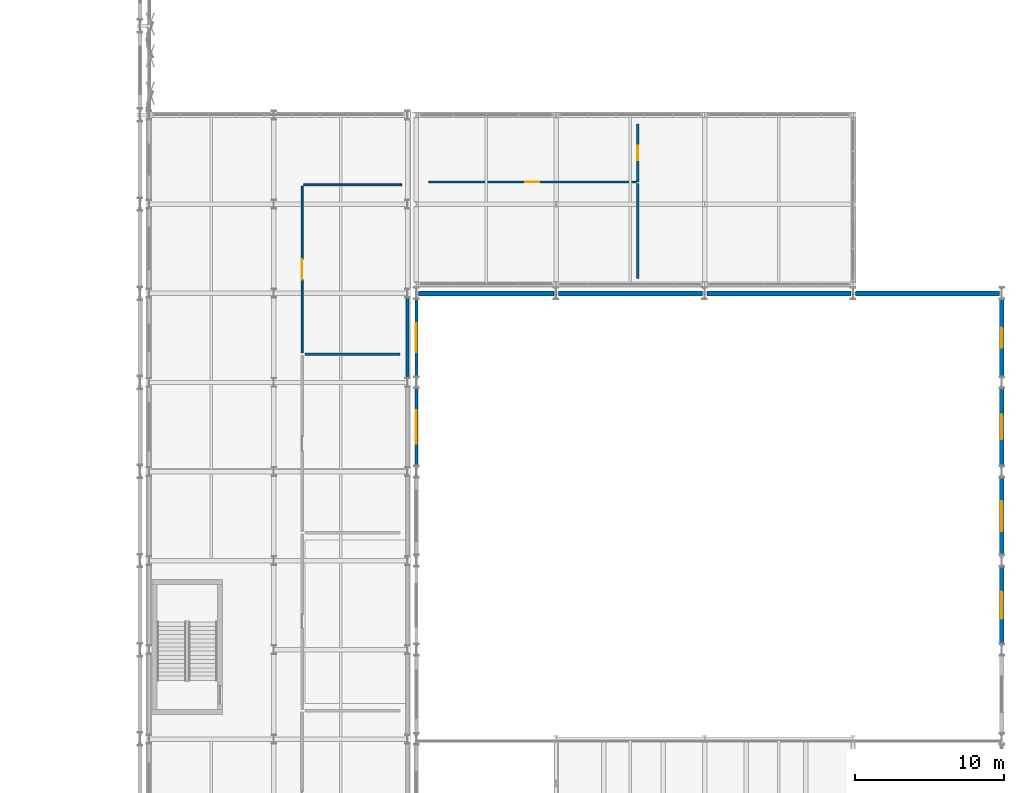
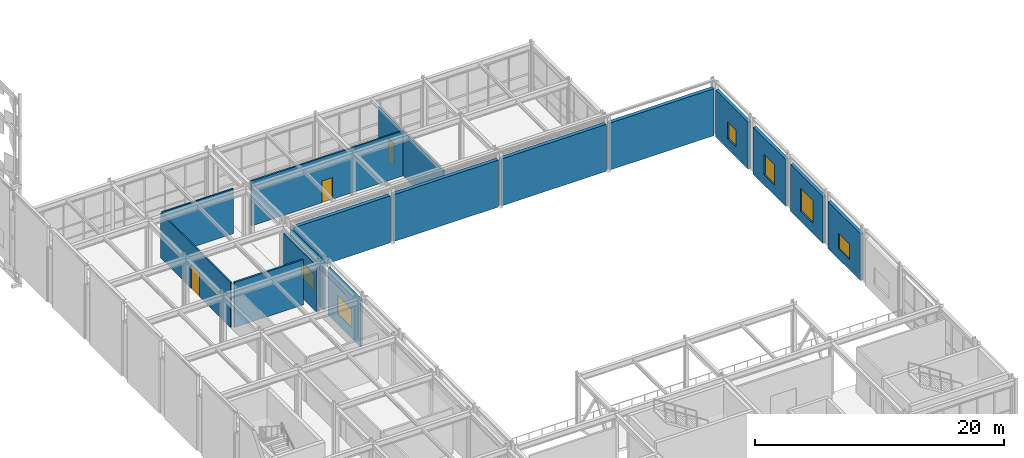
# One storey, part 162 of 210: 17 walls, 6 windows, 3 doors, 9 openings.
"""IFC4 building model written with IfcOpenShell, lengths in metres."""

from ifc_helpers import new_model, si_unit, direction, frame, frame_2d, origin, place, context, subcontext, project, spatial, rectangle, extrude, material, layer, layer_set, type_object, element, fill, save


model = new_model("IFC4")

# Units and contexts
model_context = context("Model", 3, precision=1e-05, world=origin(), true_north=direction((0.0, 1.0)))
body_context = subcontext(model_context, "Body", "Model", "MODEL_VIEW")
ifc_project = project(units=[si_unit("LENGTHUNIT", "METRE"), si_unit("AREAUNIT", "SQUARE_METRE"), si_unit("VOLUMEUNIT", "CUBIC_METRE"), si_unit("PLANEANGLEUNIT", "RADIAN"), si_unit("MASSUNIT", "GRAM", prefix="KILO")], contexts=[model_context])

# Site, building, storey
site_placement = place(None, origin())
site = spatial("IfcSite", under=ifc_project, at=site_placement, CompositionType="ELEMENT")
building_placement = place(site_placement, origin())
building = spatial("IfcBuilding", under=site, at=building_placement, Name="Kaldris Quays Convention Centre", CompositionType="ELEMENT")
storey_placement = place(building_placement, frame((0.0, 0.0, 6.0)))
storey = spatial("IfcBuildingStorey", under=building, at=storey_placement, Name="L01", CompositionType="ELEMENT", Elevation=6.0)

# Walls
ifc_material_1 = material(Name="Concrete C35/45", Category="concrete")
ifc_layer_1 = layer(ifc_material_1, 0.344970703125)
ifc_layer_set_1 = layer_set([ifc_layer_1], Name="Concrete C35/45")
wall_type_1 = type_object("IfcWallType", Name="EXTERIOR WALL EW01", PredefinedType="STANDARD", material=ifc_layer_set_1)
wall_1_placement = place(storey_placement, frame((164.74609375, 104.0, 0.0), z_axis=(0.0, 0.0, 1.0), x_axis=(1.0, 0.0, 0.0)))
element("IfcWall", 1, at=wall_1_placement, inside=storey, type_object=wall_type_1, Name="L01 Exterior Wall EW01 116", PredefinedType="STANDARD", context=body_context, shape_type="SweptSolid", body=[
    extrude(rectangle(XDim=9.10791015625, YDim=0.344970703125, at=frame_2d((4.553955078125, 0.0))), origin(), (0.0, 0.0, 1.0), 4.60009765625),
])
for number, where, z_axis, x_axis, name in (
    (2, (174.14599609375, 104.0, 0.0), (0.0, 0.0, 1.0), (1.0, 0.0, 0.0), "L01 Exterior Wall EW01 117"),
    (3, (184.14599609375, 104.0, 0.0), (0.0, 0.0, 1.0), (1.0, 0.0, 0.0), "L01 Exterior Wall EW01 118"),
    (4, (194.14599609375, 104.0, 0.0), (0.0, 0.0, 1.0), (1.0, 0.0, 0.0), "L01 Exterior Wall EW01 119"),
):
    element("IfcWall", number, at=place(storey_placement, frame(where, z_axis=z_axis, x_axis=x_axis)), inside=storey, type_object=wall_type_1, Name=name, PredefinedType="STANDARD", context=body_context, shape_type="SweptSolid", body=[
        extrude(rectangle(XDim=9.7080078125, YDim=0.344970703125, at=frame_2d((4.85400390625, 0.0))), origin(), (0.0, 0.0, 1.0), 4.60009765625),
    ])

# Wall, opening, window
ifc_material_2 = material(Name="Precast concrete C40/50", Category="concrete")
ifc_layer_2 = layer(ifc_material_2, 0.2880859375)
ifc_layer_set_2 = layer_set([ifc_layer_2], Name="Precast concrete C40/50")
wall_type_2 = type_object("IfcWallType", Name="EXTERIOR WALL EW03", PredefinedType="STANDARD", material=ifc_layer_set_2)
wall_2_placement = place(storey_placement, frame((204.0, 80.39599609375, 0.0), z_axis=(0.0, 0.0, 1.0), x_axis=(0.0, 1.0, 0.0)))
wall_2 = element("IfcWall", 5, at=wall_2_placement, inside=storey, type_object=wall_type_2, Name="L01 Exterior Wall EW03 125", PredefinedType="STANDARD", context=body_context, shape_type="SweptSolid", body=[
    extrude(rectangle(XDim=5.2080078125, YDim=0.2880859375, at=frame_2d((2.60400390625, 0.0))), origin(), (0.0, 0.0, 1.0), 4.60009765625),
])
opening_1_placement = place(wall_2_placement, frame((1.7041015625, 0.0, 1.0)))
opening_1 = element("IfcOpeningElement", 6, at=opening_1_placement, cuts=wall_2, Name="Opening WN11", PredefinedType="OPENING", context=body_context, shape_type="SweptSolid", body=[
    extrude(rectangle(XDim=1.800048828125, YDim=1.5, at=frame_2d((0.89990234375, 0.75))), frame((0.0, 0.154052734375, 0.0), z_axis=(0.0, -1.0, 0.0), x_axis=(1.0, 0.0, 0.0)), (0.0, 0.0, 1.0), 0.30810546875),
])
ifc_material_3 = material(Name="Triple low-E insulated glazing", Category="glass")
window_type_1 = type_object("IfcWindowType", Name="TRIPLE GLAZED WINDOW WN11", PartitioningType="SINGLE_PANEL", PredefinedType="WINDOW", material=ifc_material_3)
window_1_placement = place(opening_1_placement, origin())
window_1 = element("IfcWindow", 7, at=window_1_placement, inside=storey, type_object=window_type_1, Name="L01 Exterior Window WN11 40", OverallHeight=1.5, OverallWidth=1.800048828125, PartitioningType="SINGLE_PANEL", PredefinedType="WINDOW", context=body_context, shape_type="SweptSolid", body=[
    extrude(rectangle(XDim=1.800048828125, YDim=1.5, at=frame_2d((0.89990234375, 0.75))), frame((0.0, 0.030029296875, 0.0), z_axis=(0.0, -1.0, 0.0), x_axis=(1.0, 0.0, 0.0)), (0.0, 0.0, 1.0), 0.06005859375),
])
fill(opening_1, window_1)

wall_3_placement = place(storey_placement, frame((204.0, 86.39599609375, 0.0), z_axis=(0.0, 0.0, 1.0), x_axis=(0.0, 1.0, 0.0)))
wall_3 = element("IfcWall", 8, at=wall_3_placement, inside=storey, type_object=wall_type_2, Name="L01 Exterior Wall EW03 127", PredefinedType="STANDARD", context=body_context, shape_type="SweptSolid", body=[
    extrude(rectangle(XDim=5.2080078125, YDim=0.2880859375, at=frame_2d((2.60400390625, 0.0))), origin(), (0.0, 0.0, 1.0), 4.60009765625),
])
opening_2_placement = place(wall_3_placement, frame((1.60400390625, 0.0, 1.0)))
opening_2 = element("IfcOpeningElement", 9, at=opening_2_placement, cuts=wall_3, Name="Opening WN13", PredefinedType="OPENING", context=body_context, shape_type="SweptSolid", body=[
    extrude(rectangle(XDim=2.0, YDim=2.25, at=frame_2d((1.0, 1.125))), frame((0.0, 0.154052734375, 0.0), z_axis=(0.0, -1.0, 0.0), x_axis=(1.0, 0.0, 0.0)), (0.0, 0.0, 1.0), 0.30810546875),
])
window_type_2 = type_object("IfcWindowType", Name="TRIPLE GLAZED WINDOW WN13", PartitioningType="SINGLE_PANEL", PredefinedType="WINDOW", material=ifc_material_3)
window_2_placement = place(opening_2_placement, origin())
window_2 = element("IfcWindow", 10, at=window_2_placement, inside=storey, type_object=window_type_2, Name="L01 Exterior Window WN13 42", OverallHeight=2.25, OverallWidth=2.0, PartitioningType="SINGLE_PANEL", PredefinedType="WINDOW", context=body_context, shape_type="SweptSolid", body=[
    extrude(rectangle(XDim=2.0, YDim=2.25, at=frame_2d((1.0, 1.125))), frame((0.0, 0.030029296875, 0.0), z_axis=(0.0, -1.0, 0.0), x_axis=(1.0, 0.0, 0.0)), (0.0, 0.0, 1.0), 0.06005859375),
])
fill(opening_2, window_2)

wall_4_placement = place(storey_placement, frame((204.0, 92.39599609375, 0.0), z_axis=(0.0, 0.0, 1.0), x_axis=(0.0, 1.0, 0.0)))
wall_4 = element("IfcWall", 11, at=wall_4_placement, inside=storey, type_object=wall_type_2, Name="L01 Exterior Wall EW03 129", PredefinedType="STANDARD", context=body_context, shape_type="SweptSolid", body=[
    extrude(rectangle(XDim=5.2080078125, YDim=0.2880859375, at=frame_2d((2.60400390625, 0.0))), origin(), (0.0, 0.0, 1.0), 4.60009765625),
])
opening_3_placement = place(wall_4_placement, frame((1.779052734375, 0.0, 1.0)))
opening_3 = element("IfcOpeningElement", 12, at=opening_3_placement, cuts=wall_4, Name="Opening WN15", PredefinedType="OPENING", context=body_context, shape_type="SweptSolid", body=[
    extrude(rectangle(XDim=1.64990234375, YDim=2.0, at=frame_2d((0.824951171875, 1.0))), frame((0.0, 0.154052734375, 0.0), z_axis=(0.0, -1.0, 0.0), x_axis=(1.0, 0.0, 0.0)), (0.0, 0.0, 1.0), 0.30810546875),
])
window_type_3 = type_object("IfcWindowType", Name="TRIPLE GLAZED WINDOW WN15", PartitioningType="SINGLE_PANEL", PredefinedType="WINDOW", material=ifc_material_3)
window_3_placement = place(opening_3_placement, origin())
window_3 = element("IfcWindow", 13, at=window_3_placement, inside=storey, type_object=window_type_3, Name="L01 Exterior Window WN15 44", OverallHeight=2.0, OverallWidth=1.64990234375, PartitioningType="SINGLE_PANEL", PredefinedType="WINDOW", context=body_context, shape_type="SweptSolid", body=[
    extrude(rectangle(XDim=1.64990234375, YDim=2.0, at=frame_2d((0.824951171875, 1.0))), frame((0.0, 0.030029296875, 0.0), z_axis=(0.0, -1.0, 0.0), x_axis=(1.0, 0.0, 0.0)), (0.0, 0.0, 1.0), 0.06005859375),
])
fill(opening_3, window_3)

wall_5_placement = place(storey_placement, frame((204.0, 98.39599609375, 0.0), z_axis=(0.0, 0.0, 1.0), x_axis=(0.0, 1.0, 0.0)))
wall_5 = element("IfcWall", 14, at=wall_5_placement, inside=storey, type_object=wall_type_2, Name="L01 Exterior Wall EW03 131", PredefinedType="STANDARD", context=body_context, shape_type="SweptSolid", body=[
    extrude(rectangle(XDim=5.2080078125, YDim=0.2880859375, at=frame_2d((2.60400390625, 0.0))), origin(), (0.0, 0.0, 1.0), 4.60009765625),
])
opening_4_placement = place(wall_5_placement, frame((1.928955078125, 0.0, 1.0)))
opening_4 = element("IfcOpeningElement", 15, at=opening_4_placement, cuts=wall_5, Name="Opening WN17", PredefinedType="OPENING", context=body_context, shape_type="SweptSolid", body=[
    extrude(rectangle(XDim=1.35009765625, YDim=1.64990234375, at=frame_2d((0.675048828125, 0.824951171875))), frame((0.0, 0.154052734375, 0.0), z_axis=(0.0, -1.0, 0.0), x_axis=(1.0, 0.0, 0.0)), (0.0, 0.0, 1.0), 0.30810546875),
])
window_type_4 = type_object("IfcWindowType", Name="TRIPLE GLAZED WINDOW WN17", PartitioningType="SINGLE_PANEL", PredefinedType="WINDOW", material=ifc_material_3)
window_4_placement = place(opening_4_placement, origin())
window_4 = element("IfcWindow", 16, at=window_4_placement, inside=storey, type_object=window_type_4, Name="L01 Exterior Window WN17 46", OverallHeight=1.64990234375, OverallWidth=1.35009765625, PartitioningType="SINGLE_PANEL", PredefinedType="WINDOW", context=body_context, shape_type="SweptSolid", body=[
    extrude(rectangle(XDim=1.35009765625, YDim=1.64990234375, at=frame_2d((0.675048828125, 0.824951171875))), frame((0.0, 0.030029296875, 0.0), z_axis=(0.0, -1.0, 0.0), x_axis=(1.0, 0.0, 0.0)), (0.0, 0.0, 1.0), 0.06005859375),
])
fill(opening_4, window_4)

# Wall
ifc_material_4 = material(Name="Anodized aluminium insulated cassette", Category="aluminium")
ifc_layer_3 = layer(ifc_material_4, 0.221923828125)
ifc_layer_set_3 = layer_set([ifc_layer_3], Name="Anodized aluminium insulated cassette")
wall_type_3 = type_object("IfcWallType", Name="EXTERIOR WALL EW06", PredefinedType="STANDARD", material=ifc_layer_set_3)
wall_6_placement = place(storey_placement, frame((164.0, 98.2958984375, 0.0), z_axis=(0.0, 0.0, 1.0), x_axis=(0.0, 1.0, 0.0)))
element("IfcWall", 17, at=wall_6_placement, inside=storey, type_object=wall_type_3, Name="L01 Exterior Wall EW06 303", PredefinedType="STANDARD", context=body_context, shape_type="SweptSolid", body=[
    extrude(rectangle(XDim=5.408203125, YDim=0.221923828125, at=frame_2d((2.7041015625, 0.0))), origin(), (0.0, 0.0, 1.0), 4.51806640625),
])

# Wall, opening, window
ifc_layer_4 = layer(ifc_material_4, 0.201904296875)
ifc_layer_set_4 = layer_set([ifc_layer_4], Name="Anodized aluminium insulated cassette")
wall_type_4 = type_object("IfcWallType", Name="EXTERIOR WALL EW07", PredefinedType="STANDARD", material=ifc_layer_set_4)
wall_7_placement = place(storey_placement, frame((164.60009765625, 92.39599609375, 0.0), z_axis=(0.0, 0.0, 1.0), x_axis=(0.0, 1.0, 0.0)))
wall_7 = element("IfcWall", 18, at=wall_7_placement, inside=storey, type_object=wall_type_4, Name="L01 Exterior Wall EW07 130", PredefinedType="STANDARD", context=body_context, shape_type="SweptSolid", body=[
    extrude(rectangle(XDim=5.2080078125, YDim=0.201904296875, at=frame_2d((2.60400390625, 0.0))), origin(), (0.0, 0.0, 1.0), 4.60009765625),
])
opening_5_placement = place(wall_7_placement, frame((1.47900390625, 0.0, 1.0)))
opening_5 = element("IfcOpeningElement", 19, at=opening_5_placement, cuts=wall_7, Name="Opening WN16", PredefinedType="OPENING", context=body_context, shape_type="SweptSolid", body=[
    extrude(rectangle(XDim=2.25, YDim=1.85009765625, at=frame_2d((1.125, 0.925048828125))), frame((0.0, 0.11083984375, 0.0), z_axis=(0.0, -1.0, 0.0), x_axis=(1.0, 0.0, 0.0)), (0.0, 0.0, 1.0), 0.221923828125),
])
window_type_5 = type_object("IfcWindowType", Name="TRIPLE GLAZED WINDOW WN16", PartitioningType="SINGLE_PANEL", PredefinedType="WINDOW", material=ifc_material_3)
window_5_placement = place(opening_5_placement, origin())
window_5 = element("IfcWindow", 20, at=window_5_placement, inside=storey, type_object=window_type_5, Name="L01 Exterior Window WN16 45", OverallHeight=1.85009765625, OverallWidth=2.25, PartitioningType="SINGLE_PANEL", PredefinedType="WINDOW", context=body_context, shape_type="SweptSolid", body=[
    extrude(rectangle(XDim=2.25, YDim=1.85009765625, at=frame_2d((1.125, 0.925048828125))), frame((0.0, 0.030029296875, 0.0), z_axis=(0.0, -1.0, 0.0), x_axis=(1.0, 0.0, 0.0)), (0.0, 0.0, 1.0), 0.06005859375),
])
fill(opening_5, window_5)

wall_8_placement = place(storey_placement, frame((164.60009765625, 98.39599609375, 0.0), z_axis=(0.0, 0.0, 1.0), x_axis=(0.0, 1.0, 0.0)))
wall_8 = element("IfcWall", 21, at=wall_8_placement, inside=storey, type_object=wall_type_4, Name="L01 Exterior Wall EW07 132", PredefinedType="STANDARD", context=body_context, shape_type="SweptSolid", body=[
    extrude(rectangle(XDim=5.2080078125, YDim=0.201904296875, at=frame_2d((2.60400390625, 0.0))), origin(), (0.0, 0.0, 1.0), 4.60009765625),
])
opening_6_placement = place(wall_8_placement, frame((1.62890625, 0.0, 1.0)))
opening_6 = element("IfcOpeningElement", 22, at=opening_6_placement, cuts=wall_8, Name="Opening WN18", PredefinedType="OPENING", context=body_context, shape_type="SweptSolid", body=[
    extrude(rectangle(XDim=1.949951171875, YDim=1.5, at=frame_2d((0.97509765625, 0.75))), frame((0.0, 0.11083984375, 0.0), z_axis=(0.0, -1.0, 0.0), x_axis=(1.0, 0.0, 0.0)), (0.0, 0.0, 1.0), 0.221923828125),
])
window_type_6 = type_object("IfcWindowType", Name="TRIPLE GLAZED WINDOW WN18", PartitioningType="SINGLE_PANEL", PredefinedType="WINDOW", material=ifc_material_3)
window_6_placement = place(opening_6_placement, origin())
window_6 = element("IfcWindow", 23, at=window_6_placement, inside=storey, type_object=window_type_6, Name="L01 Exterior Window WN18 47", OverallHeight=1.5, OverallWidth=1.949951171875, PartitioningType="SINGLE_PANEL", PredefinedType="WINDOW", context=body_context, shape_type="SweptSolid", body=[
    extrude(rectangle(XDim=1.949951171875, YDim=1.5, at=frame_2d((0.97509765625, 0.75))), frame((0.0, 0.030029296875, 0.0), z_axis=(0.0, -1.0, 0.0), x_axis=(1.0, 0.0, 0.0)), (0.0, 0.0, 1.0), 0.06005859375),
])
fill(opening_6, window_6)

# Wall, opening, door
ifc_material_5 = material(Name="Acoustic gypsum stud partition", Category="gypsum")
ifc_layer_5 = layer(ifc_material_5, 0.14794921875)
ifc_layer_set_5 = layer_set([ifc_layer_5], Name="Acoustic gypsum stud partition")
wall_type_5 = type_object("IfcWallType", Name="INTERIOR WALL IW04", PredefinedType="PARTITIONING", material=ifc_layer_set_5)
wall_9_placement = place(storey_placement, frame((165.39990234375, 111.5, 0.0), z_axis=(0.0, 0.0, 1.0), x_axis=(1.0, 0.0, 0.0)))
wall_9 = element("IfcWall", 24, at=wall_9_placement, inside=storey, type_object=wall_type_5, Name="L01 Interior Wall IW04 72", PredefinedType="PARTITIONING", context=body_context, shape_type="SweptSolid", body=[
    extrude(rectangle(XDim=14.0, YDim=0.14794921875, at=frame_2d((7.0, 0.0))), origin(), (0.0, 0.0, 1.0), 4.39990234375),
])
opening_7_placement = place(wall_9_placement, frame((6.530029296875, 0.0, 0.0)))
opening_7 = element("IfcOpeningElement", 25, at=opening_7_placement, cuts=wall_9, Name="Opening ID01", PredefinedType="OPENING", context=body_context, shape_type="SweptSolid", body=[
    extrude(rectangle(XDim=0.93994140625, YDim=2.1201171875, at=frame_2d((0.469970703125, 1.06005859375))), frame((0.0, 0.083984375, 0.0), z_axis=(0.0, -1.0, 0.0), x_axis=(1.0, 0.0, 0.0)), (0.0, 0.0, 1.0), 0.16796875),
])
ifc_material_6 = material(Name="Timber acoustic leaf in steel frame", Category="steel")
door_type_1 = type_object("IfcDoorType", Name="INTERIOR DOOR ID01", OperationType="NOTDEFINED", PredefinedType="DOOR", material=ifc_material_6)
door_1_placement = place(opening_7_placement, origin())
door_1 = element("IfcDoor", 26, at=door_1_placement, inside=storey, type_object=door_type_1, Name="L01 Interior Door ID01 48", OperationType="SINGLE_SWING_RIGHT", OverallHeight=2.1201171875, OverallWidth=0.93994140625, PredefinedType="DOOR", context=body_context, shape_type="SweptSolid", body=[
    extrude(rectangle(XDim=0.93994140625, YDim=2.1201171875, at=frame_2d((0.469970703125, 1.06005859375))), frame((0.0, 0.02490234375, 0.0), z_axis=(0.0, -1.0, 0.0), x_axis=(1.0, 0.0, 0.0)), (0.0, 0.0, 1.0), 0.050048828125),
])
fill(opening_7, door_1)

wall_10_placement = place(storey_placement, frame((179.5, 111.5, 0.0), z_axis=(0.0, 0.0, 1.0), x_axis=(0.0, 1.0, 0.0)))
wall_10 = element("IfcWall", 27, at=wall_10_placement, inside=storey, type_object=wall_type_5, Name="L01 Interior Wall IW04 73", PredefinedType="PARTITIONING", context=body_context, shape_type="SweptSolid", body=[
    extrude(rectangle(XDim=3.89990234375, YDim=0.14794921875, at=frame_2d((1.949951171875, 0.0))), origin(), (0.0, 0.0, 1.0), 4.39990234375),
])
opening_8_placement = place(wall_10_placement, frame((1.449951171875, 0.0, 0.0)))
opening_8 = element("IfcOpeningElement", 28, at=opening_8_placement, cuts=wall_10, Name="Opening ID04", PredefinedType="OPENING", context=body_context, shape_type="SweptSolid", body=[
    extrude(rectangle(XDim=1.0, YDim=2.14990234375, at=frame_2d((0.5, 1.074951171875))), frame((0.0, 0.083984375, 0.0), z_axis=(0.0, -1.0, 0.0), x_axis=(1.0, 0.0, 0.0)), (0.0, 0.0, 1.0), 0.16796875),
])
door_type_2 = type_object("IfcDoorType", Name="INTERIOR DOOR ID04", OperationType="NOTDEFINED", PredefinedType="DOOR", material=ifc_material_6)
door_2_placement = place(opening_8_placement, origin())
door_2 = element("IfcDoor", 29, at=door_2_placement, inside=storey, type_object=door_type_2, Name="L01 Interior Door ID04 49", OperationType="SINGLE_SWING_LEFT", OverallHeight=2.14990234375, OverallWidth=1.0, PredefinedType="DOOR", context=body_context, shape_type="SweptSolid", body=[
    extrude(rectangle(XDim=1.0, YDim=2.14990234375, at=frame_2d((0.5, 1.074951171875))), frame((0.0, 0.02490234375, 0.0), z_axis=(0.0, -1.0, 0.0), x_axis=(1.0, 0.0, 0.0)), (0.0, 0.0, 1.0), 0.050048828125),
])
fill(opening_8, door_2)

ifc_layer_6 = layer(ifc_material_5, 0.134033203125)
ifc_layer_set_6 = layer_set([ifc_layer_6], Name="Acoustic gypsum stud partition")
wall_type_6 = type_object("IfcWallType", Name="INTERIOR WALL IW05", PredefinedType="PARTITIONING", material=ifc_layer_set_6)
wall_11_placement = place(storey_placement, frame((156.89990234375, 100.0, 0.0), z_axis=(0.0, 0.0, 1.0), x_axis=(0.0, 1.0, 0.0)))
wall_11 = element("IfcWall", 30, at=wall_11_placement, inside=storey, type_object=wall_type_6, Name="L01 Interior Wall IW05 66", PredefinedType="PARTITIONING", context=body_context, shape_type="SweptSolid", body=[
    extrude(rectangle(XDim=11.199951171875, YDim=0.134033203125, at=frame_2d((5.60009765625, 0.0))), origin(), (0.0, 0.0, 1.0), 4.39990234375),
])
opening_9_placement = place(wall_11_placement, frame((4.919921875, 0.0, 0.0)))
opening_9 = element("IfcOpeningElement", 31, at=opening_9_placement, cuts=wall_11, Name="Opening ID21", PredefinedType="OPENING", context=body_context, shape_type="SweptSolid", body=[
    extrude(rectangle(XDim=1.360107421875, YDim=2.300048828125, at=frame_2d((0.68017578125, 1.14990234375))), frame((0.0, 0.0771484375, 0.0), z_axis=(0.0, -1.0, 0.0), x_axis=(1.0, 0.0, 0.0)), (0.0, 0.0, 1.0), 0.154052734375),
])
ifc_material_7 = material(Name="Timber seminar room door", Category="wood")
door_type_3 = type_object("IfcDoorType", Name="INTERIOR DOOR ID21", OperationType="NOTDEFINED", PredefinedType="DOOR", material=ifc_material_7)
door_3_placement = place(opening_9_placement, origin())
door_3 = element("IfcDoor", 32, at=door_3_placement, inside=storey, type_object=door_type_3, Name="L01 Interior Door ID21 47", OperationType="SINGLE_SWING_LEFT", OverallHeight=2.300048828125, OverallWidth=1.360107421875, PredefinedType="DOOR", context=body_context, shape_type="SweptSolid", body=[
    extrude(rectangle(XDim=1.360107421875, YDim=2.300048828125, at=frame_2d((0.68017578125, 1.14990234375))), frame((0.0, 0.02490234375, 0.0), z_axis=(0.0, -1.0, 0.0), x_axis=(1.0, 0.0, 0.0)), (0.0, 0.0, 1.0), 0.050048828125),
])
fill(opening_9, door_3)

# Walls
wall_12_placement = place(storey_placement, frame((157.0, 111.300048828125, 0.0), z_axis=(0.0, 0.0, 1.0), x_axis=(1.0, 0.0, 0.0)))
element("IfcWall", 33, at=wall_12_placement, inside=storey, type_object=wall_type_6, Name="L01 Interior Wall IW05 67", PredefinedType="PARTITIONING", context=body_context, shape_type="SweptSolid", body=[
    extrude(rectangle(XDim=6.60009765625, YDim=0.134033203125, at=frame_2d((3.300048828125, 0.0))), origin(), (0.0, 0.0, 1.0), 4.39990234375),
])
ifc_material_8 = material(Name="Steel S355J2 acoustic operable panel", Category="steel")
ifc_layer_7 = layer(ifc_material_8, 0.16796875)
ifc_layer_set_7 = layer_set([ifc_layer_7], Name="Steel S355J2 acoustic operable panel")
wall_type_7 = type_object("IfcWallType", Name="INTERIOR WALL MW02", PredefinedType="MOVABLE", material=ifc_layer_set_7)
for number, where, z_axis, x_axis, name in (
    (34, (157.10009765625, 99.89990234375, 0.0), (0.0, 0.0, 1.0), (1.0, 0.0, 0.0), "L01 Interior Wall MW02 71"),
    (35, (179.5, 105.0, 0.0), (0.0, 0.0, 1.0), (0.0, 1.0, 0.0), "L01 Interior Wall MW02 74"),
):
    element("IfcWall", number, at=place(storey_placement, frame(where, z_axis=z_axis, x_axis=x_axis)), inside=storey, type_object=wall_type_7, Name=name, PredefinedType="MOVABLE", context=body_context, shape_type="SweptSolid", body=[
        extrude(rectangle(XDim=6.39990234375, YDim=0.16796875, at=frame_2d((3.199951171875, 0.0))), origin(), (0.0, 0.0, 1.0), 4.39990234375),
    ])

save(model, "model.ifc")
